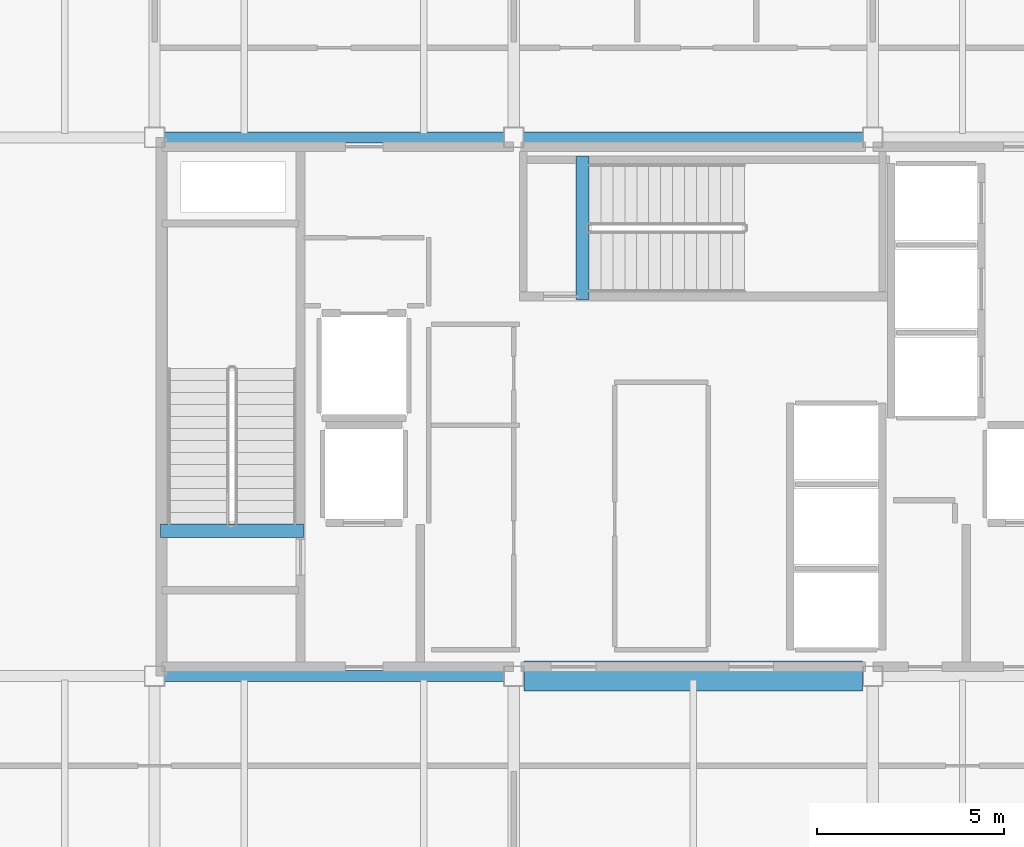
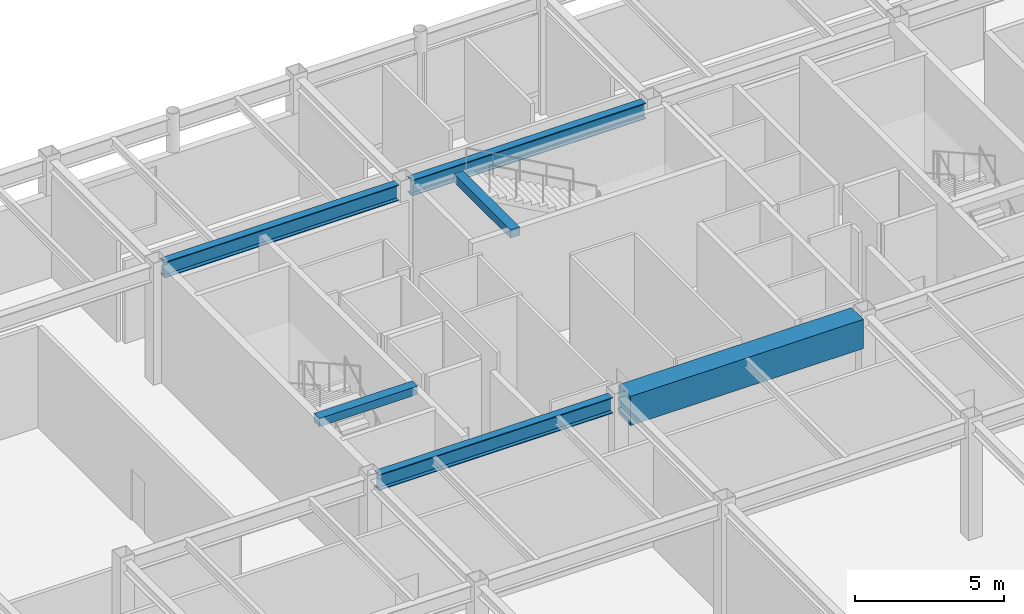
# One storey, part 8 of 21: 6 beams.
"""IFC4 building model written with IfcOpenShell, lengths in metres."""

from ifc_helpers import new_model, si_unit, direction, frame, origin, origin_2d, place, context, subcontext, project, spatial, rectangle, i_section, extrude, material, material_profile, profile_set, type_object, element, save


model = new_model("IFC4")

# Units and contexts
model_context = context("Model", 3, precision=1e-05, world=origin(), true_north=direction((0.0, 1.0)))
body_context = subcontext(model_context, "Body", "Model", "MODEL_VIEW")
ifc_project = project(units=[si_unit("LENGTHUNIT", "METRE"), si_unit("AREAUNIT", "SQUARE_METRE"), si_unit("VOLUMEUNIT", "CUBIC_METRE"), si_unit("PLANEANGLEUNIT", "RADIAN"), si_unit("MASSUNIT", "GRAM", prefix="KILO")], contexts=[model_context])

# Site, building, storey
site_placement = place(None, origin())
site = spatial("IfcSite", under=ifc_project, at=site_placement, CompositionType="ELEMENT")
building_placement = place(site_placement, origin())
building = spatial("IfcBuilding", under=site, at=building_placement, Name="Kallvorn Hotel Tower", CompositionType="ELEMENT")
storey_placement = place(building_placement, frame((0.0, 0.0, 290.60009765625)))
storey = spatial("IfcBuildingStorey", under=building, at=storey_placement, Name="L72", CompositionType="ELEMENT", Elevation=290.60009765625)

# Beams
ifc_material_1 = material(Name="Structural steel S355JR", Category="steel")
ifc_material_profile_1 = material_profile(ifc_material_1, i_section(OverallWidth=0.300048828125, OverallDepth=0.64990234375, WebThickness=0.01611328125, FlangeThickness=0.031005859375, at=origin_2d()), Name="HE 650 B")
ifc_profile_set_1 = profile_set([ifc_material_profile_1], Name="Structural steel S355JR")
beam_type_1 = type_object("IfcBeamType", Name="BM_HE650B", PredefinedType="BEAM", material=ifc_profile_set_1)
for number, where, z_axis, x_axis, name in (
    (1, (-14.14990234375, -7.199951171875, 4.474853515625), (1.0, 0.0, 0.0), (0.0, 1.0, 0.0), "L73 Primary X-Girder 08"),
    (2, (-14.14990234375, 7.199951171875, 4.474853515625), (1.0, 0.0, 0.0), (0.0, 1.0, 0.0), "L73 Primary X-Girder 12"),
):
    element("IfcBeam", number, at=place(storey_placement, frame(where, z_axis=z_axis, x_axis=x_axis)), inside=storey, type_object=beam_type_1, Name=name, PredefinedType="BEAM", context=body_context, shape_type="SweptSolid", body=[
        extrude(i_section(OverallWidth=0.300048828125, OverallDepth=0.64990234375, WebThickness=0.01611328125, FlangeThickness=0.031005859375, at=origin_2d()), origin(), (0.0, 0.0, 1.0), 9.099853515625),
    ])
beam_1_placement = place(storey_placement, frame((-4.550048828125, 7.199951171875, 4.474853515625), z_axis=(1.0, 0.0, 0.0), x_axis=(0.0, 1.0, 0.0)))
element("IfcBeam", 3, at=beam_1_placement, inside=storey, type_object=beam_type_1, Name="L73 Primary X-Girder 13", PredefinedType="BEAM", context=body_context, shape_type="SweptSolid", body=[
    extrude(i_section(OverallWidth=0.300048828125, OverallDepth=0.64990234375, WebThickness=0.01611328125, FlangeThickness=0.031005859375, at=origin_2d()), origin(), (0.0, 0.0, 1.0), 9.10009765625),
])
ifc_material_2 = material(Name="Concrete C50/60", Category="concrete")
ifc_material_profile_2 = material_profile(ifc_material_2, rectangle(XDim=0.360107421875, YDim=0.340087890625, at=origin_2d()), Name="RC 360x340")
ifc_profile_set_2 = profile_set([ifc_material_profile_2], Name="Concrete C50/60")
beam_type_2 = type_object("IfcBeamType", Name="BM_RC_400x360", PredefinedType="BEAM", material=ifc_profile_set_2)
beam_2_placement = place(storey_placement, frame((-10.419921875, -3.31005859375, 4.6298828125), z_axis=(-1.0, 0.0, 0.0), x_axis=(0.0, -1.0, 0.0)))
element("IfcBeam", 4, at=beam_2_placement, inside=storey, type_object=beam_type_2, Name="L73 Stair ST1 Arrival Trimmer Beam", PredefinedType="BEAM", context=body_context, shape_type="SweptSolid", body=[
    extrude(rectangle(XDim=0.360107421875, YDim=0.340087890625, at=origin_2d()), origin(), (0.0, 0.0, 1.0), 3.820068359375),
])
beam_3_placement = place(storey_placement, frame((-2.9599609375, 2.8701171875, 4.6298828125), z_axis=(0.0, 1.0, 0.0), x_axis=(-1.0, 0.0, 0.0)))
element("IfcBeam", 5, at=beam_3_placement, inside=storey, type_object=beam_type_2, Name="L73 Stair ST3 Arrival Trimmer Beam", PredefinedType="BEAM", context=body_context, shape_type="SweptSolid", body=[
    extrude(rectangle(XDim=0.360107421875, YDim=0.340087890625, at=origin_2d()), origin(), (0.0, 0.0, 1.0), 3.81982421875),
])
ifc_material_3 = material(Name="Concrete C50/60", Category="concrete")
ifc_material_profile_3 = material_profile(ifc_material_3, rectangle(XDim=0.800048828125, YDim=1.199951171875, at=origin_2d()), Name="RC 800x1200")
ifc_profile_set_3 = profile_set([ifc_material_profile_3], Name="Concrete C50/60")
beam_type_3 = type_object("IfcBeamType", Name="BM_RC_800x1200", PredefinedType="T_BEAM", material=ifc_profile_set_3)
beam_4_placement = place(storey_placement, frame((-4.52490234375, -7.199951171875, 4.199951171875), z_axis=(1.0, 0.0, 0.0), x_axis=(0.0, 1.0, 0.0)))
element("IfcBeam", 6, at=beam_4_placement, inside=storey, type_object=beam_type_3, Name="L72 Core Coupling Beam South", PredefinedType="T_BEAM", context=body_context, shape_type="SweptSolid", body=[
    extrude(rectangle(XDim=0.800048828125, YDim=1.199951171875, at=origin_2d()), origin(), (0.0, 0.0, 1.0), 9.0498046875),
])

save(model, "model.ifc")
